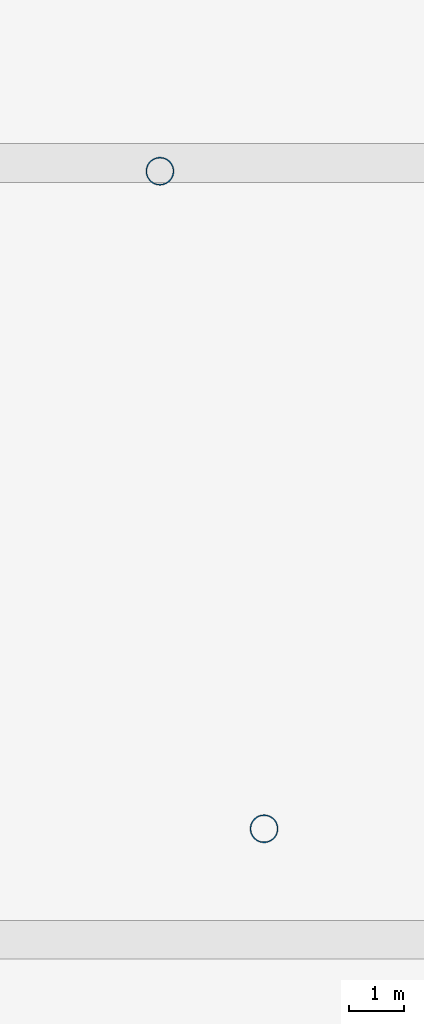
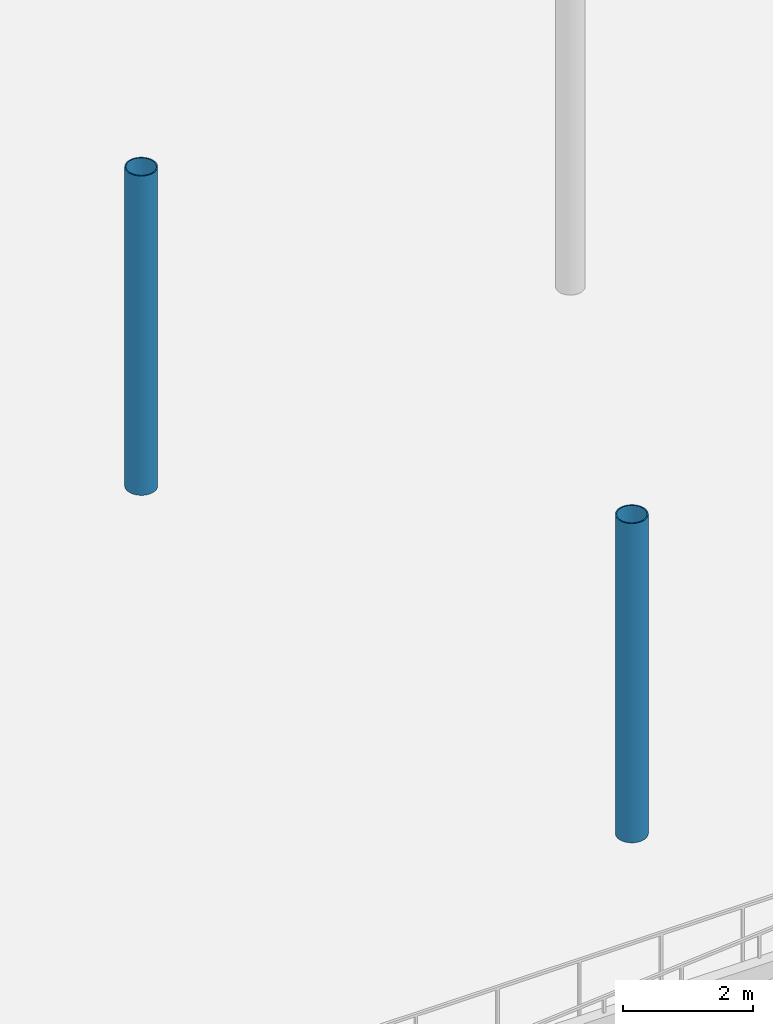
# One storey, part 1 of 163: 2 columns.
"""IFC4 building model written with IfcOpenShell, lengths in metres."""

from ifc_helpers import new_model, si_unit, direction, frame, origin, origin_2d, place, context, subcontext, project, spatial, hollow_circle, extrude, material, material_profile, profile_set, type_object, element, save


model = new_model("IFC4")

# Units and contexts
model_context = context("Model", 3, precision=1e-05, world=origin(), true_north=direction((0.0, 1.0)))
body_context = subcontext(model_context, "Body", "Model", "MODEL_VIEW")
ifc_project = project(units=[si_unit("LENGTHUNIT", "METRE"), si_unit("AREAUNIT", "SQUARE_METRE"), si_unit("VOLUMEUNIT", "CUBIC_METRE"), si_unit("PLANEANGLEUNIT", "RADIAN"), si_unit("MASSUNIT", "GRAM", prefix="KILO")], contexts=[model_context])

# Site, building, storey
site_placement = place(None, origin())
site = spatial("IfcSite", under=ifc_project, at=site_placement, CompositionType="ELEMENT")
building_placement = place(site_placement, origin())
building = spatial("IfcBuilding", under=site, at=building_placement, Name="Khorjan Park Terminus", CompositionType="ELEMENT")
storey_placement = place(building_placement, origin())
storey = spatial("IfcBuildingStorey", under=building, at=storey_placement, Name="L00", CompositionType="ELEMENT", Elevation=0.0)

# Columns
ifc_material = material(Name="Steel S355", Category="steel")
ifc_material_profile = material_profile(ifc_material, hollow_circle(Radius=0.254, WallThickness=0.02, at=origin_2d()), Name="CHS 508x20")
ifc_profile_set = profile_set([ifc_material_profile], Name="Steel S355")
column_type = type_object("IfcColumnType", Name="COL-SH508E", PredefinedType="COLUMN", material=ifc_profile_set)
for number, where, z_axis, x_axis, name in (
    (1, (54.0, -10.0, 0.0), (0.0, 0.0, 1.0), (0.987688340595, 0.15643446504, 0.0), "Structural column SC-51 (L00 #543)"),
    (2, (52.123, 1.852, 0.0), (0.0, 0.0, 1.0), (0.987688340595, 0.15643446504, 0.0), "Structural column SC-51 (L00 #546)"),
):
    element("IfcColumn", number, at=place(storey_placement, frame(where, z_axis=z_axis, x_axis=x_axis)), inside=storey, type_object=column_type, Name=name, PredefinedType="COLUMN", context=body_context, shape_type="SweptSolid", body=[
        extrude(hollow_circle(Radius=0.254, WallThickness=0.02, at=origin_2d()), origin(), (0.0, 0.0, 1.0), 6.0),
    ])

save(model, "model.ifc")
